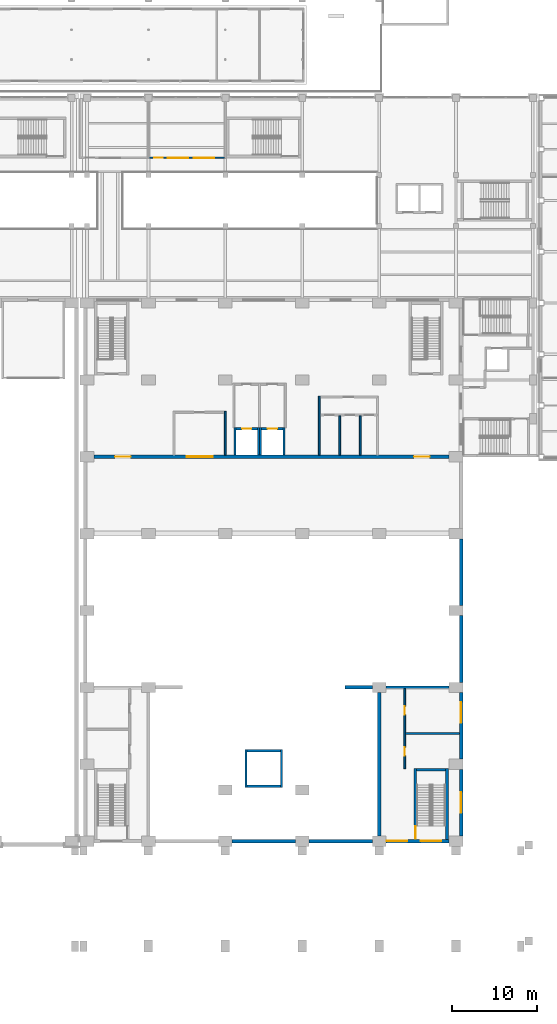
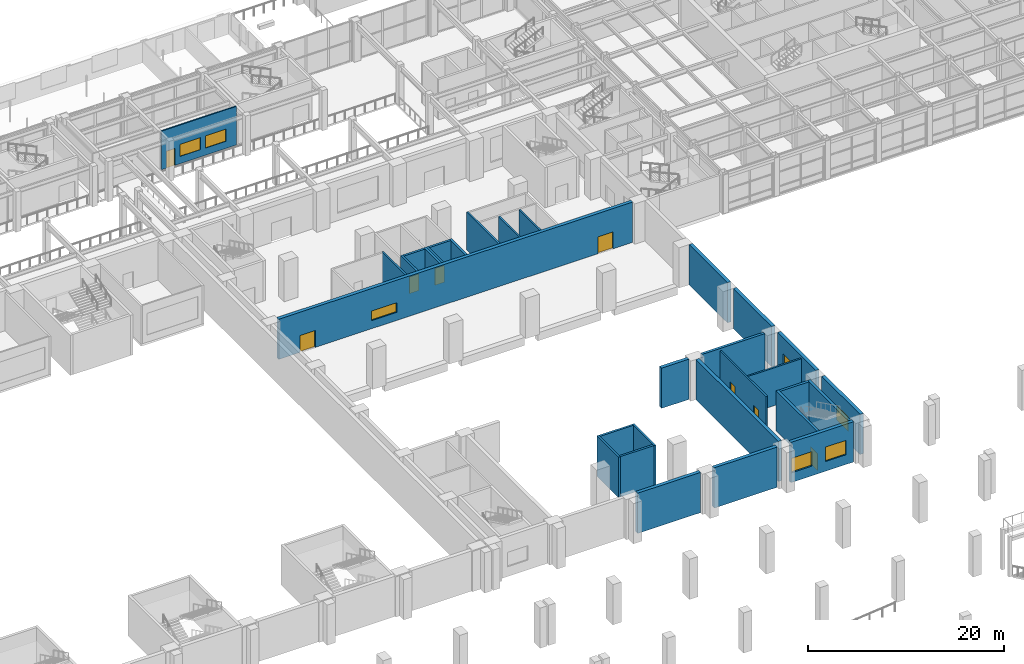
# One storey, part 40 of 67: 31 walls, 8 doors, 7 windows, 15 openings.
"""IFC4 building model written with IfcOpenShell, lengths in metres."""

from ifc_helpers import new_model, si_unit, direction, frame, frame_2d, origin, place, context, subcontext, project, spatial, rectangle, extrude, material, layer, layer_set, type_object, element, fill, save


model = new_model("IFC4")

# Units and contexts
model_context = context("Model", 3, precision=1e-05, world=origin(), true_north=direction((0.0, 1.0)))
body_context = subcontext(model_context, "Body", "Model", "MODEL_VIEW")
ifc_project = project(units=[si_unit("LENGTHUNIT", "METRE"), si_unit("AREAUNIT", "SQUARE_METRE"), si_unit("VOLUMEUNIT", "CUBIC_METRE"), si_unit("PLANEANGLEUNIT", "RADIAN"), si_unit("MASSUNIT", "GRAM", prefix="KILO")], contexts=[model_context])

# Site, building, storey
site_placement = place(None, origin())
site = spatial("IfcSite", under=ifc_project, at=site_placement, CompositionType="ELEMENT")
building_placement = place(site_placement, origin())
building = spatial("IfcBuilding", under=site, at=building_placement, Name="Aravalli Gate Trade Fair Centre", CompositionType="ELEMENT")
storey_placement = place(building_placement, frame((0.0, 0.0, 5.0)))
storey = spatial("IfcBuildingStorey", under=building, at=storey_placement, Name="L01", CompositionType="ELEMENT", Elevation=5.0)

# Walls
ifc_material_1 = material(Name="Concrete M40", Category="concrete")
ifc_layer_1 = layer(ifc_material_1, 0.25)
ifc_layer_set_1 = layer_set([ifc_layer_1], Name="Concrete M40")
wall_type_1 = type_object("IfcWallType", Name="Congress RC wall 250 shaft", PredefinedType="SHEAR", material=ifc_layer_set_1)
for number, where, z_axis, x_axis, name in (
    (1, (125.425048828125, 52.300048828125, 0.0), (0.0, 0.0, 1.0), (0.0, 1.0, 0.0), "Goods lift shaft wall W L01"),
    (2, (129.574951171875, 52.300048828125, 0.0), (0.0, 0.0, 1.0), (0.0, 1.0, 0.0), "Goods lift shaft wall E L01"),
):
    element("IfcWall", number, at=place(storey_placement, frame(where, z_axis=z_axis, x_axis=x_axis)), inside=storey, type_object=wall_type_1, Name=name, PredefinedType="SHEAR", context=body_context, shape_type="SweptSolid", body=[
        extrude(rectangle(XDim=4.39990234375, YDim=0.25, at=frame_2d((2.199951171875, 0.0))), origin(), (0.0, 0.0, 1.0), 5.0),
    ])
for number, where, z_axis, x_axis, name in (
    (3, (125.550048828125, 52.425048828125, 0.0), (0.0, 0.0, 1.0), (1.0, 0.0, 0.0), "Goods lift shaft wall F L01"),
    (4, (125.550048828125, 56.574951171875, 0.0), (0.0, 0.0, 1.0), (1.0, 0.0, 0.0), "Goods lift shaft wall N L01"),
):
    element("IfcWall", number, at=place(storey_placement, frame(where, z_axis=z_axis, x_axis=x_axis)), inside=storey, type_object=wall_type_1, Name=name, PredefinedType="SHEAR", context=body_context, shape_type="SweptSolid", body=[
        extrude(rectangle(XDim=3.89990234375, YDim=0.25, at=frame_2d((1.949951171875, 0.0))), origin(), (0.0, 0.0, 1.0), 5.0),
    ])
for number, where, z_axis, x_axis, name in (
    (5, (124.125, 91.199951171875, 0.0), (0.0, 0.0, 1.0), (0.0, 1.0, 0.0), "Lift GL1 shaft wall W L01"),
    (6, (126.875, 91.199951171875, 0.0), (0.0, 0.0, 1.0), (0.0, 1.0, 0.0), "Lift GL1 shaft wall E L01"),
):
    element("IfcWall", number, at=place(storey_placement, frame(where, z_axis=z_axis, x_axis=x_axis)), inside=storey, type_object=wall_type_1, Name=name, PredefinedType="SHEAR", context=body_context, shape_type="SweptSolid", body=[
        extrude(rectangle(XDim=3.199951171875, YDim=0.25, at=frame_2d((1.60009765625, 0.0))), origin(), (0.0, 0.0, 1.0), 5.0),
    ])

# Wall, opening, door
wall_1_placement = place(storey_placement, frame((124.25, 94.27490234375, 0.0), z_axis=(0.0, 0.0, 1.0), x_axis=(1.0, 0.0, 0.0)))
wall_1 = element("IfcWall", 7, at=wall_1_placement, inside=storey, type_object=wall_type_1, Name="Lift GL1 shaft wall F L01", PredefinedType="SHEAR", context=body_context, shape_type="SweptSolid", body=[
    extrude(rectangle(XDim=2.5, YDim=0.25, at=frame_2d((1.25, 0.0))), origin(), (0.0, 0.0, 1.0), 5.0),
])
opening_1_placement = place(wall_1_placement, frame((0.699951171875, 0.0, 0.0)))
opening_1 = element("IfcOpeningElement", 8, at=opening_1_placement, cuts=wall_1, Name="Opening G-L01-09", PredefinedType="OPENING", context=body_context, shape_type="SweptSolid", body=[
    extrude(rectangle(XDim=1.10009765625, YDim=2.10009765625, at=frame_2d((0.550048828125, 1.050048828125))), frame((0.0, 0.135009765625, 0.0), z_axis=(0.0, -1.0, 0.0), x_axis=(1.0, 0.0, 0.0)), (0.0, 0.0, 1.0), 0.27001953125),
])
ifc_material_2 = material(Name="Elevator door panels")
door_type_1 = type_object("IfcDoorType", Name="Congress lift landing door 1100 x 2100", OperationType="SLIDING_TO_LEFT", PredefinedType="DOOR", material=ifc_material_2)
door_1_placement = place(opening_1_placement, origin())
door_1 = element("IfcDoor", 9, at=door_1_placement, inside=storey, type_object=door_type_1, Name="Lift GL1 landing door G-L01-09", OperationType="SLIDING_TO_LEFT", OverallHeight=2.10009765625, OverallWidth=1.10009765625, PredefinedType="DOOR", context=body_context, shape_type="SweptSolid", body=[
    extrude(rectangle(XDim=1.10009765625, YDim=2.10009765625, at=frame_2d((0.550048828125, 1.050048828125))), frame((0.0, 0.02490234375, 0.0), z_axis=(0.0, -1.0, 0.0), x_axis=(1.0, 0.0, 0.0)), (0.0, 0.0, 1.0), 0.050048828125),
])
fill(opening_1, door_1)

# Walls
for number, where, z_axis, x_axis, name in (
    (10, (127.125, 91.199951171875, 0.0), (0.0, 0.0, 1.0), (0.0, 1.0, 0.0), "Lift GL2 shaft wall W L01"),
    (11, (129.875, 91.199951171875, 0.0), (0.0, 0.0, 1.0), (0.0, 1.0, 0.0), "Lift GL2 shaft wall E L01"),
):
    element("IfcWall", number, at=place(storey_placement, frame(where, z_axis=z_axis, x_axis=x_axis)), inside=storey, type_object=wall_type_1, Name=name, PredefinedType="SHEAR", context=body_context, shape_type="SweptSolid", body=[
        extrude(rectangle(XDim=3.199951171875, YDim=0.25, at=frame_2d((1.60009765625, 0.0))), origin(), (0.0, 0.0, 1.0), 5.0),
    ])

# Wall, opening, door
wall_2_placement = place(storey_placement, frame((127.25, 94.27490234375, 0.0), z_axis=(0.0, 0.0, 1.0), x_axis=(1.0, 0.0, 0.0)))
wall_2 = element("IfcWall", 12, at=wall_2_placement, inside=storey, type_object=wall_type_1, Name="Lift GL2 shaft wall F L01", PredefinedType="SHEAR", context=body_context, shape_type="SweptSolid", body=[
    extrude(rectangle(XDim=2.5, YDim=0.25, at=frame_2d((1.25, 0.0))), origin(), (0.0, 0.0, 1.0), 5.0),
])
opening_2_placement = place(wall_2_placement, frame((0.699951171875, 0.0, 0.0)))
opening_2 = element("IfcOpeningElement", 13, at=opening_2_placement, cuts=wall_2, Name="Opening G-L01-10", PredefinedType="OPENING", context=body_context, shape_type="SweptSolid", body=[
    extrude(rectangle(XDim=1.10009765625, YDim=2.10009765625, at=frame_2d((0.550048828125, 1.050048828125))), frame((0.0, 0.135009765625, 0.0), z_axis=(0.0, -1.0, 0.0), x_axis=(1.0, 0.0, 0.0)), (0.0, 0.0, 1.0), 0.27001953125),
])
door_2_placement = place(opening_2_placement, origin())
door_2 = element("IfcDoor", 14, at=door_2_placement, inside=storey, type_object=door_type_1, Name="Lift GL2 landing door G-L01-10", OperationType="SLIDING_TO_LEFT", OverallHeight=2.10009765625, OverallWidth=1.10009765625, PredefinedType="DOOR", context=body_context, shape_type="SweptSolid", body=[
    extrude(rectangle(XDim=1.10009765625, YDim=2.10009765625, at=frame_2d((0.550048828125, 1.050048828125))), frame((0.0, 0.02490234375, 0.0), z_axis=(0.0, -1.0, 0.0), x_axis=(1.0, 0.0, 0.0)), (0.0, 0.0, 1.0), 0.050048828125),
])
fill(opening_2, door_2)

# Wall
ifc_layer_2 = layer(ifc_material_1, 0.300048828125)
ifc_layer_set_2 = layer_set([ifc_layer_2], Name="Concrete M40")
wall_type_2 = type_object("IfcWallType", Name="Congress RC wall 300", PredefinedType="SHEAR", material=ifc_layer_set_2)
wall_3_placement = place(storey_placement, frame((141.800048828125, 64.0, 0.0), z_axis=(0.0, 0.0, 1.0), x_axis=(1.0, 0.0, 0.0)))
element("IfcWall", 15, at=wall_3_placement, inside=storey, type_object=wall_type_2, Name="Stage wing north wall E L01", PredefinedType="SHEAR", context=body_context, shape_type="SweptSolid", body=[
    extrude(rectangle(XDim=7.39990234375, YDim=0.300048828125, at=frame_2d((3.699951171875, 0.0))), origin(), (0.0, 0.0, 1.0), 5.0),
])

# Wall, opening, door
wall_4_placement = place(storey_placement, frame((145.25, 46.199951171875, 0.0), z_axis=(0.0, 0.0, 1.0), x_axis=(0.0, 1.0, 0.0)))
wall_4 = element("IfcWall", 16, at=wall_4_placement, inside=storey, type_object=wall_type_2, Name="Stage Stair East wall W L01", PredefinedType="SHEAR", context=body_context, shape_type="SweptSolid", body=[
    extrude(rectangle(XDim=8.300048828125, YDim=0.300048828125, at=frame_2d((4.14990234375, 0.0))), origin(), (0.0, 0.0, 1.0), 5.0),
])
opening_3_placement = place(wall_4_placement, frame((0.0849609375, 0.0, 0.0)))
opening_3 = element("IfcOpeningElement", 17, at=opening_3_placement, cuts=wall_4, Name="Opening G-L01-06", PredefinedType="OPENING", context=body_context, shape_type="SweptSolid", body=[
    extrude(rectangle(XDim=1.449951171875, YDim=2.10009765625, at=frame_2d((0.72509765625, 1.050048828125))), frame((0.0, 0.159912109375, 0.0), z_axis=(0.0, -1.0, 0.0), x_axis=(1.0, 0.0, 0.0)), (0.0, 0.0, 1.0), 0.320068359375),
])
ifc_material_3 = material(Name="Steel, fire rated", Category="steel")
door_type_2 = type_object("IfcDoorType", Name="Congress fire door FD120 1450 x 2100", OperationType="SINGLE_SWING_LEFT", PredefinedType="DOOR", material=ifc_material_3)
door_3_placement = place(opening_3_placement, frame((1.449951171875, 0.0, 0.0), z_axis=(0.0, 0.0, 1.0), x_axis=(-1.0, 0.0, 0.0)))
door_3 = element("IfcDoor", 18, at=door_3_placement, inside=storey, type_object=door_type_2, Name="Stage Stair East door L01", OperationType="SINGLE_SWING_RIGHT", OverallHeight=2.10009765625, OverallWidth=1.449951171875, PredefinedType="DOOR", context=body_context, shape_type="SweptSolid", body=[
    extrude(rectangle(XDim=1.449951171875, YDim=2.10009765625, at=frame_2d((0.72509765625, 1.050048828125))), frame((0.0, 0.02490234375, 0.0), z_axis=(0.0, -1.0, 0.0), x_axis=(1.0, 0.0, 0.0)), (0.0, 0.0, 1.0), 0.050048828125),
])
fill(opening_3, door_3)

# Walls
wall_5_placement = place(storey_placement, frame((148.949951171875, 46.199951171875, 0.0), z_axis=(0.0, 0.0, 1.0), x_axis=(0.0, 1.0, 0.0)))
element("IfcWall", 19, at=wall_5_placement, inside=storey, type_object=wall_type_2, Name="Stage Stair East wall E L01", PredefinedType="SHEAR", context=body_context, shape_type="SweptSolid", body=[
    extrude(rectangle(XDim=8.300048828125, YDim=0.300048828125, at=frame_2d((4.14990234375, 0.0))), origin(), (0.0, 0.0, 1.0), 5.0),
])
wall_6_placement = place(storey_placement, frame((145.39990234375, 54.35009765625, 0.0), z_axis=(0.0, 0.0, 1.0), x_axis=(1.0, 0.0, 0.0)))
element("IfcWall", 20, at=wall_6_placement, inside=storey, type_object=wall_type_2, Name="Stage Stair East wall N L01", PredefinedType="SHEAR", context=body_context, shape_type="SweptSolid", body=[
    extrude(rectangle(XDim=3.400146484375, YDim=0.300048828125, at=frame_2d((1.7001953125, 0.0))), origin(), (0.0, 0.0, 1.0), 5.0),
])

# Wall, openings, window, doors
ifc_layer_3 = layer(ifc_material_1, 0.39990234375)
ifc_layer_set_3 = layer_set([ifc_layer_3], Name="Concrete M40")
wall_type_3 = type_object("IfcWallType", Name="Congress RC wall 400", PredefinedType="SHEAR", material=ifc_layer_set_3)
wall_7_placement = place(storey_placement, frame((107.60009765625, 91.0, 0.0), z_axis=(0.0, 0.0, 1.0), x_axis=(1.0, 0.0, 0.0)))
wall_7 = element("IfcWall", 21, at=wall_7_placement, inside=storey, type_object=wall_type_3, Name="Auditorium rear wall L01", PredefinedType="SHEAR", context=body_context, shape_type="SweptSolid", body=[
    extrude(rectangle(XDim=41.599853515625, YDim=0.39990234375, at=frame_2d((20.7998046875, 0.0))), origin(), (0.0, 0.0, 1.0), 5.0),
])
opening_4_placement = place(wall_7_placement, frame((10.89990234375, 0.0, 1.0)))
opening_4 = element("IfcOpeningElement", 22, at=opening_4_placement, cuts=wall_7, Name="Opening GWN1", PredefinedType="OPENING", context=body_context, shape_type="SweptSolid", body=[
    extrude(rectangle(XDim=3.0, YDim=1.199951171875, at=frame_2d((1.5, 0.60009765625))), frame((0.0, 0.2099609375, 0.0), z_axis=(0.0, -1.0, 0.0), x_axis=(1.0, 0.0, 0.0)), (0.0, 0.0, 1.0), 0.419921875),
])
opening_5_placement = place(wall_7_placement, frame((2.5, 0.0, 0.0)))
opening_5 = element("IfcOpeningElement", 23, at=opening_5_placement, cuts=wall_7, Name="Opening G-L01-18", PredefinedType="OPENING", context=body_context, shape_type="SweptSolid", body=[
    extrude(rectangle(XDim=1.800048828125, YDim=2.10009765625, at=frame_2d((0.89990234375, 1.050048828125))), frame((0.0, 0.2099609375, 0.0), z_axis=(0.0, -1.0, 0.0), x_axis=(1.0, 0.0, 0.0)), (0.0, 0.0, 1.0), 0.419921875),
])
opening_6_placement = place(wall_7_placement, frame((37.5, 0.0, 0.0)))
opening_6 = element("IfcOpeningElement", 24, at=opening_6_placement, cuts=wall_7, Name="Opening G-L01-19", PredefinedType="OPENING", context=body_context, shape_type="SweptSolid", body=[
    extrude(rectangle(XDim=1.800048828125, YDim=2.10009765625, at=frame_2d((0.89990234375, 1.050048828125))), frame((0.0, 0.2099609375, 0.0), z_axis=(0.0, -1.0, 0.0), x_axis=(1.0, 0.0, 0.0)), (0.0, 0.0, 1.0), 0.419921875),
])
ifc_material_4 = material(Name="Aluminium and glass", Category="aluminium")
window_type_1 = type_object("IfcWindowType", Name="Congress control room window 3000 x 1200", PartitioningType="SINGLE_PANEL", PredefinedType="WINDOW", material=ifc_material_4)
window_1_placement = place(opening_4_placement, origin())
window_1 = element("IfcWindow", 25, at=window_1_placement, inside=storey, type_object=window_type_1, Name="Control room window", OverallHeight=1.199951171875, OverallWidth=3.0, PartitioningType="SINGLE_PANEL", PredefinedType="WINDOW", context=body_context, shape_type="SweptSolid", body=[
    extrude(rectangle(XDim=3.0, YDim=1.199951171875, at=frame_2d((1.5, 0.60009765625))), frame((0.0, 0.030029296875, 0.0), z_axis=(0.0, -1.0, 0.0), x_axis=(1.0, 0.0, 0.0)), (0.0, 0.0, 1.0), 0.06005859375),
])
fill(opening_4, window_1)
door_type_3 = type_object("IfcDoorType", Name="Congress fire door FD120 1800 x 2100 double door single swing", OperationType="DOUBLE_DOOR_SINGLE_SWING", PredefinedType="DOOR", material=ifc_material_3)
door_4_placement = place(opening_5_placement, origin())
door_4 = element("IfcDoor", 26, at=door_4_placement, inside=storey, type_object=door_type_3, Name="Auditorium rear door L01 1", OperationType="DOUBLE_DOOR_SINGLE_SWING", OverallHeight=2.10009765625, OverallWidth=1.800048828125, PredefinedType="DOOR", context=body_context, shape_type="SweptSolid", body=[
    extrude(rectangle(XDim=1.800048828125, YDim=2.10009765625, at=frame_2d((0.89990234375, 1.050048828125))), frame((0.0, 0.02490234375, 0.0), z_axis=(0.0, -1.0, 0.0), x_axis=(1.0, 0.0, 0.0)), (0.0, 0.0, 1.0), 0.050048828125),
])
fill(opening_5, door_4)
door_5_placement = place(opening_6_placement, frame((1.800048828125, 0.0, 0.0), z_axis=(0.0, 0.0, 1.0), x_axis=(-1.0, 0.0, 0.0)))
door_5 = element("IfcDoor", 27, at=door_5_placement, inside=storey, type_object=door_type_3, Name="Auditorium rear door L01 2", OperationType="DOUBLE_DOOR_SINGLE_SWING", OverallHeight=2.10009765625, OverallWidth=1.800048828125, PredefinedType="DOOR", context=body_context, shape_type="SweptSolid", body=[
    extrude(rectangle(XDim=1.800048828125, YDim=2.10009765625, at=frame_2d((0.89990234375, 1.050048828125))), frame((0.0, 0.02490234375, 0.0), z_axis=(0.0, -1.0, 0.0), x_axis=(1.0, 0.0, 0.0)), (0.0, 0.0, 1.0), 0.050048828125),
])
fill(opening_6, door_5)

# Walls
wall_8_placement = place(storey_placement, frame((141.0, 46.60009765625, 0.0), z_axis=(0.0, 0.0, 1.0), x_axis=(0.0, 1.0, 0.0)))
element("IfcWall", 28, at=wall_8_placement, inside=storey, type_object=wall_type_3, Name="Stage house wall line 141 L01", PredefinedType="SHEAR", context=body_context, shape_type="SweptSolid", body=[
    extrude(rectangle(XDim=16.7998046875, YDim=0.39990234375, at=frame_2d((8.39990234375, 0.0))), origin(), (0.0, 0.0, 1.0), 5.0),
])
wall_9_placement = place(storey_placement, frame((137.0, 64.0, 0.0), z_axis=(0.0, 0.0, 1.0), x_axis=(1.0, 0.0, 0.0)))
element("IfcWall", 29, at=wall_9_placement, inside=storey, type_object=wall_type_3, Name="Proscenium wall E L01", PredefinedType="SHEAR", context=body_context, shape_type="SweptSolid", body=[
    extrude(rectangle(XDim=3.199951171875, YDim=0.39990234375, at=frame_2d((1.60009765625, 0.0))), origin(), (0.0, 0.0, 1.0), 5.0),
])

# Wall, opening, window
ifc_layer_4 = layer(ifc_material_1, 0.25, Name="Structural wall")
ifc_material_5 = material(Name="Ventilated air cavity")
ifc_layer_5 = layer(ifc_material_5, 0.050048828125, ventilated=True, Name="Ventilated cavity")
ifc_material_6 = material(Name="Terracotta rainscreen", Category="masonry")
ifc_layer_6 = layer(ifc_material_6, 0.10009765625, Name="Rainscreen cladding")
ifc_layer_set_4 = layer_set([ifc_layer_4, ifc_layer_5, ifc_layer_6], Name="Congress external wall 400")
wall_type_4 = type_object("IfcWallType", Name="Congress external wall 400", PredefinedType="SOLIDWALL", material=ifc_layer_set_4)
wall_10_placement = place(storey_placement, frame((150.60009765625, 46.60009765625, 0.0), z_axis=(0.0, 0.0, 1.0), x_axis=(0.0, 1.0, 0.0)))
wall_10 = element("IfcWall", 30, at=wall_10_placement, inside=storey, type_object=wall_type_4, Name="East wall L01 bay 1", PredefinedType="SOLIDWALL", context=body_context, shape_type="SweptSolid", body=[
    extrude(rectangle(XDim=7.7998046875, YDim=0.39990234375, at=frame_2d((3.89990234375, 0.0))), origin(), (0.0, 0.0, 1.0), 5.0),
])
opening_7_placement = place(wall_10_placement, frame((2.699951171875, 0.0, 1.199951171875)))
opening_7 = element("IfcOpeningElement", 31, at=opening_7_placement, cuts=wall_10, Name="Opening GWN4", PredefinedType="OPENING", context=body_context, shape_type="SweptSolid", body=[
    extrude(rectangle(XDim=2.39990234375, YDim=1.800048828125, at=frame_2d((1.199951171875, 0.89990234375))), frame((0.0, 0.2099609375, 0.0), z_axis=(0.0, -1.0, 0.0), x_axis=(1.0, 0.0, 0.0)), (0.0, 0.0, 1.0), 0.419921875),
])
window_type_2 = type_object("IfcWindowType", Name="Congress wing window 2400 x 1800", PartitioningType="DOUBLE_PANEL_VERTICAL", PredefinedType="WINDOW", material=ifc_material_4)
window_2_placement = place(opening_7_placement, origin())
window_2 = element("IfcWindow", 32, at=window_2_placement, inside=storey, type_object=window_type_2, Name="East window L01 bay 1", OverallHeight=1.800048828125, OverallWidth=2.39990234375, PartitioningType="SINGLE_PANEL", PredefinedType="WINDOW", context=body_context, shape_type="SweptSolid", body=[
    extrude(rectangle(XDim=2.39990234375, YDim=1.800048828125, at=frame_2d((1.199951171875, 0.89990234375))), frame((0.0, 0.030029296875, 0.0), z_axis=(0.0, -1.0, 0.0), x_axis=(1.0, 0.0, 0.0)), (0.0, 0.0, 1.0), 0.06005859375),
])
fill(opening_7, window_2)

wall_11_placement = place(storey_placement, frame((150.60009765625, 55.60009765625, 0.0), z_axis=(0.0, 0.0, 1.0), x_axis=(0.0, 1.0, 0.0)))
wall_11 = element("IfcWall", 33, at=wall_11_placement, inside=storey, type_object=wall_type_4, Name="East wall L01 bay 2", PredefinedType="SOLIDWALL", context=body_context, shape_type="SweptSolid", body=[
    extrude(rectangle(XDim=7.7998046875, YDim=0.39990234375, at=frame_2d((3.89990234375, 0.0))), origin(), (0.0, 0.0, 1.0), 5.0),
])
opening_8_placement = place(wall_11_placement, frame((4.25, 0.0, 1.199951171875)))
opening_8 = element("IfcOpeningElement", 34, at=opening_8_placement, cuts=wall_11, Name="Opening GWN4", PredefinedType="OPENING", context=body_context, shape_type="SweptSolid", body=[
    extrude(rectangle(XDim=2.39990234375, YDim=1.800048828125, at=frame_2d((1.199951171875, 0.89990234375))), frame((0.0, 0.2099609375, 0.0), z_axis=(0.0, -1.0, 0.0), x_axis=(1.0, 0.0, 0.0)), (0.0, 0.0, 1.0), 0.419921875),
])
window_3_placement = place(opening_8_placement, origin())
window_3 = element("IfcWindow", 35, at=window_3_placement, inside=storey, type_object=window_type_2, Name="East window L01 bay 2", OverallHeight=1.800048828125, OverallWidth=2.39990234375, PartitioningType="SINGLE_PANEL", PredefinedType="WINDOW", context=body_context, shape_type="SweptSolid", body=[
    extrude(rectangle(XDim=2.39990234375, YDim=1.800048828125, at=frame_2d((1.199951171875, 0.89990234375))), frame((0.0, 0.030029296875, 0.0), z_axis=(0.0, -1.0, 0.0), x_axis=(1.0, 0.0, 0.0)), (0.0, 0.0, 1.0), 0.06005859375),
])
fill(opening_8, window_3)

# Walls
for number, where, z_axis, x_axis, name in (
    (36, (150.60009765625, 64.60009765625, 0.0), (0.0, 0.0, 1.0), (0.0, 1.0, 0.0), "East wall L01 bay 3"),
    (37, (150.60009765625, 73.60009765625, 0.0), (0.0, 0.0, 1.0), (0.0, 1.0, 0.0), "East wall L01 bay 4"),
):
    element("IfcWall", number, at=place(storey_placement, frame(where, z_axis=z_axis, x_axis=x_axis)), inside=storey, type_object=wall_type_4, Name=name, PredefinedType="SOLIDWALL", context=body_context, shape_type="SweptSolid", body=[
        extrude(rectangle(XDim=7.7998046875, YDim=0.39990234375, at=frame_2d((3.89990234375, 0.0))), origin(), (0.0, 0.0, 1.0), 5.0),
    ])
for number, where, z_axis, x_axis, name in (
    (38, (123.800048828125, 46.0, 0.0), (0.0, 0.0, 1.0), (1.0, 0.0, 0.0), "South wall L01 bay 3"),
    (39, (132.800048828125, 46.0, 0.0), (0.0, 0.0, 1.0), (1.0, 0.0, 0.0), "South wall L01 bay 4"),
):
    element("IfcWall", number, at=place(storey_placement, frame(where, z_axis=z_axis, x_axis=x_axis)), inside=storey, type_object=wall_type_4, Name=name, PredefinedType="SOLIDWALL", context=body_context, shape_type="SweptSolid", body=[
        extrude(rectangle(XDim=7.39990234375, YDim=0.39990234375, at=frame_2d((3.699951171875, 0.0))), origin(), (0.0, 0.0, 1.0), 5.0),
    ])

# Wall, openings, windows
wall_12_placement = place(storey_placement, frame((141.800048828125, 46.0, 0.0), z_axis=(0.0, 0.0, 1.0), x_axis=(1.0, 0.0, 0.0)))
wall_12 = element("IfcWall", 40, at=wall_12_placement, inside=storey, type_object=wall_type_4, Name="South wall L01 bay 5", PredefinedType="SOLIDWALL", context=body_context, shape_type="SweptSolid", body=[
    extrude(rectangle(XDim=7.39990234375, YDim=0.39990234375, at=frame_2d((3.699951171875, 0.0))), origin(), (0.0, 0.0, 1.0), 5.0),
])
opening_9_placement = place(wall_12_placement, frame((4.10009765625, 0.0, 1.199951171875)))
opening_9 = element("IfcOpeningElement", 41, at=opening_9_placement, cuts=wall_12, Name="Opening GWN4", PredefinedType="OPENING", context=body_context, shape_type="SweptSolid", body=[
    extrude(rectangle(XDim=2.39990234375, YDim=1.800048828125, at=frame_2d((1.199951171875, 0.89990234375))), frame((0.0, 0.2099609375, 0.0), z_axis=(0.0, -1.0, 0.0), x_axis=(1.0, 0.0, 0.0)), (0.0, 0.0, 1.0), 0.419921875),
])
opening_10_placement = place(wall_12_placement, frame((0.10009765625, 0.0, 1.199951171875)))
opening_10 = element("IfcOpeningElement", 42, at=opening_10_placement, cuts=wall_12, Name="Opening GWN4", PredefinedType="OPENING", context=body_context, shape_type="SweptSolid", body=[
    extrude(rectangle(XDim=2.39990234375, YDim=1.800048828125, at=frame_2d((1.199951171875, 0.89990234375))), frame((0.0, 0.2099609375, 0.0), z_axis=(0.0, -1.0, 0.0), x_axis=(1.0, 0.0, 0.0)), (0.0, 0.0, 1.0), 0.419921875),
])
window_4_placement = place(opening_9_placement, origin())
window_4 = element("IfcWindow", 43, at=window_4_placement, inside=storey, type_object=window_type_2, Name="South window L01 bay 5", OverallHeight=1.800048828125, OverallWidth=2.39990234375, PartitioningType="SINGLE_PANEL", PredefinedType="WINDOW", context=body_context, shape_type="SweptSolid", body=[
    extrude(rectangle(XDim=2.39990234375, YDim=1.800048828125, at=frame_2d((1.199951171875, 0.89990234375))), frame((0.0, 0.030029296875, 0.0), z_axis=(0.0, -1.0, 0.0), x_axis=(1.0, 0.0, 0.0)), (0.0, 0.0, 1.0), 0.06005859375),
])
fill(opening_9, window_4)
window_5_placement = place(opening_10_placement, origin())
window_5 = element("IfcWindow", 44, at=window_5_placement, inside=storey, type_object=window_type_2, Name="South window L01 bay 5", OverallHeight=1.800048828125, OverallWidth=2.39990234375, PartitioningType="SINGLE_PANEL", PredefinedType="WINDOW", context=body_context, shape_type="SweptSolid", body=[
    extrude(rectangle(XDim=2.39990234375, YDim=1.800048828125, at=frame_2d((1.199951171875, 0.89990234375))), frame((0.0, 0.030029296875, 0.0), z_axis=(0.0, -1.0, 0.0), x_axis=(1.0, 0.0, 0.0)), (0.0, 0.0, 1.0), 0.06005859375),
])
fill(opening_10, window_5)

# Walls
ifc_material_7 = material(Name="Concrete block masonry", Category="masonry")
ifc_layer_7 = layer(ifc_material_7, 0.199951171875)
ifc_layer_set_5 = layer_set([ifc_layer_7], Name="Concrete block masonry")
wall_type_5 = type_object("IfcWallType", Name="Congress partition 200", PredefinedType="PARTITIONING", material=ifc_layer_set_5)
wall_13_placement = place(storey_placement, frame((134.0, 91.199951171875, 0.0), z_axis=(0.0, 0.0, 1.0), x_axis=(0.0, 1.0, 0.0)))
element("IfcWall", 45, at=wall_13_placement, inside=storey, type_object=wall_type_5, Name="WC block wall W L01", PredefinedType="PARTITIONING", context=body_context, shape_type="SweptSolid", body=[
    extrude(rectangle(XDim=6.900146484375, YDim=0.199951171875, at=frame_2d((3.4501953125, 0.0))), origin(), (0.0, 0.0, 1.0), 4.699951171875),
])
for number, where, z_axis, x_axis, name in (
    (46, (136.39990234375, 91.199951171875, 0.0), (0.0, 0.0, 1.0), (0.0, 1.0, 0.0), "WC partition 1 L01"),
    (47, (138.800048828125, 91.199951171875, 0.0), (0.0, 0.0, 1.0), (0.0, 1.0, 0.0), "WC partition 2 L01"),
):
    element("IfcWall", number, at=place(storey_placement, frame(where, z_axis=z_axis, x_axis=x_axis)), inside=storey, type_object=wall_type_5, Name=name, PredefinedType="PARTITIONING", context=body_context, shape_type="SweptSolid", body=[
        extrude(rectangle(XDim=4.60009765625, YDim=0.199951171875, at=frame_2d((2.300048828125, 0.0))), origin(), (0.0, 0.0, 1.0), 4.699951171875),
    ])
wall_14_placement = place(storey_placement, frame((123.0, 91.199951171875, 0.0), z_axis=(0.0, 0.0, 1.0), x_axis=(0.0, 1.0, 0.0)))
element("IfcWall", 48, at=wall_14_placement, inside=storey, type_object=wall_type_5, Name="Control room wall E", PredefinedType="PARTITIONING", context=body_context, shape_type="SweptSolid", body=[
    extrude(rectangle(XDim=5.10009765625, YDim=0.199951171875, at=frame_2d((2.550048828125, 0.0))), origin(), (0.0, 0.0, 1.0), 4.699951171875),
])

# Wall, openings, doors
wall_15_placement = place(storey_placement, frame((144.0, 54.5, 0.0), z_axis=(0.0, 0.0, 1.0), x_axis=(0.0, 1.0, 0.0)))
wall_15 = element("IfcWall", 49, at=wall_15_placement, inside=storey, type_object=wall_type_5, Name="Wing partition E L01", PredefinedType="PARTITIONING", context=body_context, shape_type="SweptSolid", body=[
    extrude(rectangle(XDim=9.35009765625, YDim=0.199951171875, at=frame_2d((4.675048828125, 0.0))), origin(), (0.0, 0.0, 1.0), 4.699951171875),
])
opening_11_placement = place(wall_15_placement, frame((1.5, 0.0, 0.0)))
opening_11 = element("IfcOpeningElement", 50, at=opening_11_placement, cuts=wall_15, Name="Opening G-L01-22", PredefinedType="OPENING", context=body_context, shape_type="SweptSolid", body=[
    extrude(rectangle(XDim=1.0, YDim=2.10009765625, at=frame_2d((0.5, 1.050048828125))), frame((0.0, 0.10986328125, 0.0), z_axis=(0.0, -1.0, 0.0), x_axis=(1.0, 0.0, 0.0)), (0.0, 0.0, 1.0), 0.219970703125),
])
opening_12_placement = place(wall_15_placement, frame((6.27490234375, 0.0, 0.0)))
opening_12 = element("IfcOpeningElement", 51, at=opening_12_placement, cuts=wall_15, Name="Opening G-L01-23", PredefinedType="OPENING", context=body_context, shape_type="SweptSolid", body=[
    extrude(rectangle(XDim=1.0, YDim=2.10009765625, at=frame_2d((0.5, 1.050048828125))), frame((0.0, 0.10986328125, 0.0), z_axis=(0.0, -1.0, 0.0), x_axis=(1.0, 0.0, 0.0)), (0.0, 0.0, 1.0), 0.219970703125),
])
door_type_4 = type_object("IfcDoorType", Name="Congress fire door FD60 1000 x 2100", OperationType="SINGLE_SWING_LEFT", PredefinedType="DOOR", material=ifc_material_3)
door_6_placement = place(opening_11_placement, frame((1.0, 0.0, 0.0), z_axis=(0.0, 0.0, 1.0), x_axis=(-1.0, 0.0, 0.0)))
door_6 = element("IfcDoor", 52, at=door_6_placement, inside=storey, type_object=door_type_4, Name="Wing room door E L01 a", OperationType="SINGLE_SWING_LEFT", OverallHeight=2.10009765625, OverallWidth=1.0, PredefinedType="DOOR", context=body_context, shape_type="SweptSolid", body=[
    extrude(rectangle(XDim=1.0, YDim=2.10009765625, at=frame_2d((0.5, 1.050048828125))), frame((0.0, 0.02490234375, 0.0), z_axis=(0.0, -1.0, 0.0), x_axis=(1.0, 0.0, 0.0)), (0.0, 0.0, 1.0), 0.050048828125),
])
fill(opening_11, door_6)
door_7_placement = place(opening_12_placement, frame((1.0, 0.0, 0.0), z_axis=(0.0, 0.0, 1.0), x_axis=(-1.0, 0.0, 0.0)))
door_7 = element("IfcDoor", 53, at=door_7_placement, inside=storey, type_object=door_type_4, Name="Wing room door E L01 b", OperationType="SINGLE_SWING_LEFT", OverallHeight=2.10009765625, OverallWidth=1.0, PredefinedType="DOOR", context=body_context, shape_type="SweptSolid", body=[
    extrude(rectangle(XDim=1.0, YDim=2.10009765625, at=frame_2d((0.5, 1.050048828125))), frame((0.0, 0.02490234375, 0.0), z_axis=(0.0, -1.0, 0.0), x_axis=(1.0, 0.0, 0.0)), (0.0, 0.0, 1.0), 0.050048828125),
])
fill(opening_12, door_7)

# Wall
wall_16_placement = place(storey_placement, frame((144.10009765625, 58.60009765625, 0.0), z_axis=(0.0, 0.0, 1.0), x_axis=(1.0, 0.0, 0.0)))
element("IfcWall", 54, at=wall_16_placement, inside=storey, type_object=wall_type_5, Name="Wing room partition E L01", PredefinedType="PARTITIONING", context=body_context, shape_type="SweptSolid", body=[
    extrude(rectangle(XDim=6.2998046875, YDim=0.199951171875, at=frame_2d((3.14990234375, 0.0))), origin(), (0.0, 0.0, 1.0), 4.699951171875),
])

# Wall, openings, windows, door
ifc_material_8 = material(Name="Gypsum board")
ifc_layer_8 = layer(ifc_material_8, 0.02490234375, Name="Gypsum board lining")
ifc_material_9 = material(Name="Galvanised stud framing")
ifc_layer_9 = layer(ifc_material_9, 0.10009765625, Name="Stud framing")
ifc_layer_10 = layer(ifc_material_8, 0.02490234375, Name="Gypsum board lining")
ifc_layer_set_6 = layer_set([ifc_layer_8, ifc_layer_9, ifc_layer_10], Name="Partition wall 150")
wall_type_6 = type_object("IfcWallType", Name="Partition wall 150", PredefinedType="PARTITIONING", material=ifc_layer_set_6)
wall_17_placement = place(storey_placement, frame((114.074951171875, 126.0, 0.0), z_axis=(0.0, 0.0, 1.0), x_axis=(1.0, 0.0, 0.0)))
wall_17 = element("IfcWall", 55, at=wall_17_placement, inside=storey, type_object=wall_type_6, Name="Partition Meeting Room 5 south L01", PredefinedType="PARTITIONING", context=body_context, shape_type="SweptSolid", body=[
    extrude(rectangle(XDim=8.85009765625, YDim=0.14990234375, at=frame_2d((4.425048828125, 0.0))), origin(), (0.0, 0.0, 1.0), 4.800048828125),
])
opening_13_placement = place(wall_17_placement, frame((0.60009765625, 0.0, 0.0)))
opening_13 = element("IfcOpeningElement", 56, at=opening_13_placement, cuts=wall_17, Name="Opening C-L01-20", PredefinedType="OPENING", context=body_context, shape_type="SweptSolid", body=[
    extrude(rectangle(XDim=1.0, YDim=2.10009765625, at=frame_2d((0.5, 1.050048828125))), frame((0.0, 0.0849609375, 0.0), z_axis=(0.0, -1.0, 0.0), x_axis=(1.0, 0.0, 0.0)), (0.0, 0.0, 1.0), 0.169921875),
])
opening_14_placement = place(wall_17_placement, frame((2.199951171875, 0.0, 0.89990234375)))
opening_14 = element("IfcOpeningElement", 57, at=opening_14_placement, cuts=wall_17, Name="Opening WI1", PredefinedType="OPENING", context=body_context, shape_type="SweptSolid", body=[
    extrude(rectangle(XDim=2.39990234375, YDim=1.5, at=frame_2d((1.199951171875, 0.75))), frame((0.0, 0.0849609375, 0.0), z_axis=(0.0, -1.0, 0.0), x_axis=(1.0, 0.0, 0.0)), (0.0, 0.0, 1.0), 0.169921875),
])
opening_15_placement = place(wall_17_placement, frame((5.199951171875, 0.0, 0.89990234375)))
opening_15 = element("IfcOpeningElement", 58, at=opening_15_placement, cuts=wall_17, Name="Opening WI1", PredefinedType="OPENING", context=body_context, shape_type="SweptSolid", body=[
    extrude(rectangle(XDim=2.39990234375, YDim=1.5, at=frame_2d((1.199951171875, 0.75))), frame((0.0, 0.0849609375, 0.0), z_axis=(0.0, -1.0, 0.0), x_axis=(1.0, 0.0, 0.0)), (0.0, 0.0, 1.0), 0.169921875),
])
ifc_material_10 = material(Name="Glass, fire rated", Category="glass")
window_type_3 = type_object("IfcWindowType", Name="Interior glazed screen 2400 x 1500", PartitioningType="SINGLE_PANEL", PredefinedType="WINDOW", material=ifc_material_10)
window_6_placement = place(opening_14_placement, origin())
window_6 = element("IfcWindow", 59, at=window_6_placement, inside=storey, type_object=window_type_3, Name="Interior window Meeting Room 5 1 L01", OverallHeight=1.5, OverallWidth=2.39990234375, PartitioningType="SINGLE_PANEL", PredefinedType="WINDOW", context=body_context, shape_type="SweptSolid", body=[
    extrude(rectangle(XDim=2.39990234375, YDim=1.5, at=frame_2d((1.199951171875, 0.75))), frame((0.0, 0.030029296875, 0.0), z_axis=(0.0, -1.0, 0.0), x_axis=(1.0, 0.0, 0.0)), (0.0, 0.0, 1.0), 0.06005859375),
])
fill(opening_14, window_6)
window_7_placement = place(opening_15_placement, origin())
window_7 = element("IfcWindow", 60, at=window_7_placement, inside=storey, type_object=window_type_3, Name="Interior window Meeting Room 5 2 L01", OverallHeight=1.5, OverallWidth=2.39990234375, PartitioningType="SINGLE_PANEL", PredefinedType="WINDOW", context=body_context, shape_type="SweptSolid", body=[
    extrude(rectangle(XDim=2.39990234375, YDim=1.5, at=frame_2d((1.199951171875, 0.75))), frame((0.0, 0.030029296875, 0.0), z_axis=(0.0, -1.0, 0.0), x_axis=(1.0, 0.0, 0.0)), (0.0, 0.0, 1.0), 0.06005859375),
])
fill(opening_15, window_7)
door_type_5 = type_object("IfcDoorType", Name="Room door 1000 x 2100", OperationType="SINGLE_SWING_RIGHT", PredefinedType="NOTDEFINED", material=ifc_material_3)
door_8_placement = place(opening_13_placement, origin())
door_8 = element("IfcDoor", 61, at=door_8_placement, inside=storey, type_object=door_type_5, Name="Door Meeting Room 5 L01", OperationType="SINGLE_SWING_LEFT", OverallHeight=2.10009765625, OverallWidth=1.0, PredefinedType="NOTDEFINED", context=body_context, shape_type="SweptSolid", body=[
    extrude(rectangle(XDim=1.0, YDim=2.10009765625, at=frame_2d((0.5, 1.050048828125))), frame((0.0, 0.02490234375, 0.0), z_axis=(0.0, -1.0, 0.0), x_axis=(1.0, 0.0, 0.0)), (0.0, 0.0, 1.0), 0.050048828125),
])
fill(opening_13, door_8)

save(model, "model.ifc")
